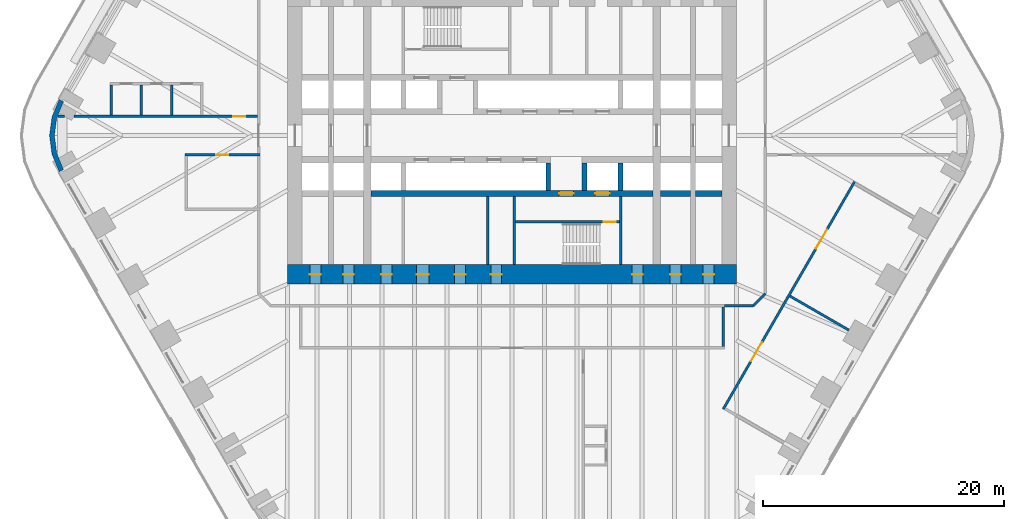
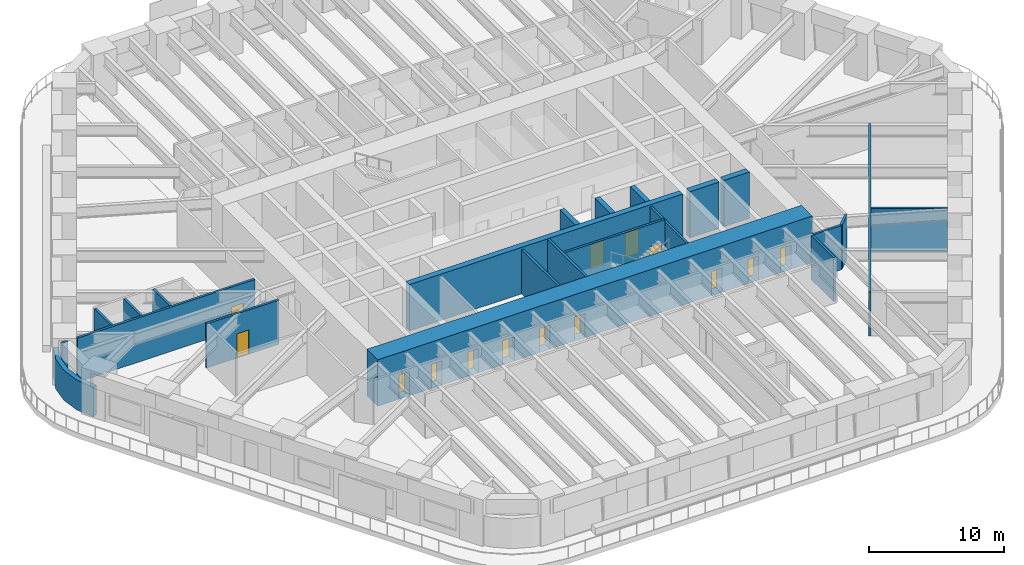
# One storey, part 17 of 23: 23 walls, 16 doors, 16 openings.
"""IFC4 building model written with IfcOpenShell, lengths in metres."""

from ifc_helpers import new_model, si_unit, direction, frame, frame_2d, origin, place, context, subcontext, project, spatial, polyline, rectangle, outline, extrude, material, layer, layer_set, type_object, element, fill, save


model = new_model("IFC4")

# Units and contexts
model_context = context("Model", 3, precision=1e-05, world=origin(), true_north=direction((0.0, 1.0)))
body_context = subcontext(model_context, "Body", "Model", "MODEL_VIEW")
ifc_project = project(units=[si_unit("LENGTHUNIT", "METRE"), si_unit("AREAUNIT", "SQUARE_METRE"), si_unit("VOLUMEUNIT", "CUBIC_METRE"), si_unit("PLANEANGLEUNIT", "RADIAN"), si_unit("MASSUNIT", "GRAM", prefix="KILO")], contexts=[model_context])

# Site, building, storey
site_placement = place(None, origin())
site = spatial("IfcSite", under=ifc_project, at=site_placement, CompositionType="ELEMENT")
building_placement = place(site_placement, origin())
building = spatial("IfcBuilding", under=site, at=building_placement, Name="Tarfa Lantern Tower", CompositionType="ELEMENT")
storey_placement = place(building_placement, frame((0.0, 0.0, 52.89990234375)))
storey = spatial("IfcBuildingStorey", under=building, at=storey_placement, Name="L11", CompositionType="ELEMENT", Elevation=52.89990234375)

# Walls
ifc_material_1 = material(Name="Limestone cladding on blockwork", Category="masonry")
ifc_layer_1 = layer(ifc_material_1, 0.39990234375)
ifc_layer_set_1 = layer_set([ifc_layer_1], Name="EW2 CURVED STONE CORNER 400")
wall_type_1 = type_object("IfcWallType", Name="EW2 CURVED STONE CORNER 400", PredefinedType="SOLIDWALL", material=ifc_layer_set_1)
wall_1_placement = place(storey_placement, origin())
element("IfcWall", 1, at=wall_1_placement, inside=storey, type_object=wall_type_1, Name="Stone corner NW-SW", PredefinedType="SOLIDWALL", context=body_context, shape_type="SweptSolid", body=[
    extrude(outline(polyline([(-37.52783203125, 3.0), (-38.127197265625, 1.552978515625), (-38.33154296875, 0.0), (-38.127197265625, -1.552978515625), (-37.52783203125, -3.0), (-37.181396484375, -2.800048828125), (-37.74072265625, -1.449462890625), (-37.931640625, 0.0), (-37.74072265625, 1.449462890625), (-37.181396484375, 2.800048828125), (-37.52783203125, 3.0)])), origin(), (0.0, 0.0, 1.0), 2.7001953125),
])
ifc_material_2 = material(Name="Concrete blockwork", Category="masonry")
ifc_layer_2 = layer(ifc_material_2, 0.199951171875)
ifc_layer_set_2 = layer_set([ifc_layer_2], Name="IW1 BLOCKWORK PARTITION 200 EI 120")
wall_type_2 = type_object("IfcWallType", Name="IW1 BLOCKWORK PARTITION 200 EI 120", PredefinedType="PARTITIONING", material=ifc_layer_set_2)
for number, where, z_axis, x_axis, name in (
    (2, (9.0, -5.050048828125, 0.0), (0.0, 0.0, 1.0), (0.0, -1.0, 0.0), "Core partition"),
    (3, (-2.0, -5.050048828125, 0.0), (0.0, 0.0, 1.0), (0.0, -1.0, 0.0), "Core partition"),
):
    element("IfcWall", number, at=place(storey_placement, frame(where, z_axis=z_axis, x_axis=x_axis)), inside=storey, type_object=wall_type_2, Name=name, PredefinedType="PARTITIONING", context=body_context, shape_type="SweptSolid", body=[
        extrude(rectangle(XDim=5.64990234375, YDim=0.199951171875, at=frame_2d((2.824951171875, 0.0))), origin(), (0.0, 0.0, 1.0), 4.0),
    ])
ifc_material_3 = material(Name="Gypsum board on steel studs", Category="steel")
ifc_layer_3 = layer(ifc_material_3, 0.2099609375)
ifc_layer_set_3 = layer_set([ifc_layer_3], Name="IW2 ACOUSTIC PARTITION 200")
wall_type_3 = type_object("IfcWallType", Name="IW2 ACOUSTIC PARTITION 200", PredefinedType="PARTITIONING", material=ifc_layer_set_3)
wall_2_placement = place(storey_placement, frame((17.5, -14.199951171875, 0.0), z_axis=(0.0, 0.0, 1.0), x_axis=(0.0, -1.0, 0.0)))
element("IfcWall", 4, at=wall_2_placement, inside=storey, type_object=wall_type_3, Name="Partition", PredefinedType="PARTITIONING", context=body_context, shape_type="SweptSolid", body=[
    extrude(rectangle(XDim=3.300048828125, YDim=0.199951171875, at=frame_2d((1.64990234375, 0.0))), origin(), (0.0, 0.0, 1.0), 4.0),
])

# Wall, openings, doors
wall_3_placement = place(storey_placement, frame((17.510986328125, -22.669921875, 0.0), z_axis=(0.0, 0.0, 1.0), x_axis=(0.500000289772, 0.866025236485, 0.0)))
wall_3 = element("IfcWall", 5, at=wall_3_placement, inside=storey, type_object=wall_type_3, Name="Partition", PredefinedType="PARTITIONING", context=body_context, shape_type="SweptSolid", body=[
    extrude(rectangle(XDim=21.75439453125, YDim=0.199951171875, at=frame_2d((10.877197265625, 0.0))), origin(), (0.0, 0.0, 1.0), 4.0),
])
opening_1_placement = place(wall_3_placement, frame((4.588623046875, 0.0, 0.0)))
opening_1 = element("IfcOpeningElement", 6, at=opening_1_placement, cuts=wall_3, Name="Opening D30", PredefinedType="OPENING", context=body_context, shape_type="SweptSolid", body=[
    extrude(rectangle(XDim=1.800048828125, YDim=2.39990234375, at=frame_2d((0.89990234375, 1.199951171875))), frame((0.0, 0.10986328125, 0.0), z_axis=(0.0, -1.0, 0.0), x_axis=(1.0, 0.0, 0.0)), (0.0, 0.0, 1.0), 0.219970703125),
])
opening_2_placement = place(wall_3_placement, frame((15.36572265625, 0.0, 0.0)))
opening_2 = element("IfcOpeningElement", 7, at=opening_2_placement, cuts=wall_3, Name="Opening D31", PredefinedType="OPENING", context=body_context, shape_type="SweptSolid", body=[
    extrude(rectangle(XDim=1.800048828125, YDim=2.39990234375, at=frame_2d((0.89990234375, 1.199951171875))), frame((0.0, 0.10986328125, 0.0), z_axis=(0.0, -1.0, 0.0), x_axis=(1.0, 0.0, 0.0)), (0.0, 0.0, 1.0), 0.219970703125),
])
ifc_material_4 = material(Name="Timber door", Category="wood")
door_type_1 = type_object("IfcDoorType", Name="DR2 ROOM DOOR 1800x2400", OperationType="DOUBLE_DOOR_SINGLE_SWING", PredefinedType="DOOR", material=ifc_material_4)
door_1_placement = place(opening_1_placement, frame((1.800048828125, 0.0, 0.0), z_axis=(0.0, 0.0, 1.0), x_axis=(-1.0, 0.0, 0.0)))
door_1 = element("IfcDoor", 8, at=door_1_placement, inside=storey, type_object=door_type_1, Name="Project studio door", OperationType="DOUBLE_DOOR_SINGLE_SWING", OverallHeight=2.39990234375, OverallWidth=1.800048828125, PredefinedType="DOOR", context=body_context, shape_type="SweptSolid", body=[
    extrude(rectangle(XDim=1.800048828125, YDim=2.39990234375, at=frame_2d((0.89990234375, 1.199951171875))), frame((0.0, 0.02490234375, 0.0), z_axis=(0.0, -1.0, 0.0), x_axis=(1.0, 0.0, 0.0)), (0.0, 0.0, 1.0), 0.050048828125),
])
fill(opening_1, door_1)
door_2_placement = place(opening_2_placement, frame((1.800048828125, 0.0, 0.0), z_axis=(0.0, 0.0, 1.0), x_axis=(-1.0, 0.0, 0.0)))
door_2 = element("IfcDoor", 9, at=door_2_placement, inside=storey, type_object=door_type_1, Name="Project studio door", OperationType="DOUBLE_DOOR_SINGLE_SWING", OverallHeight=2.39990234375, OverallWidth=1.800048828125, PredefinedType="DOOR", context=body_context, shape_type="SweptSolid", body=[
    extrude(rectangle(XDim=1.800048828125, YDim=2.39990234375, at=frame_2d((0.89990234375, 1.199951171875))), frame((0.0, 0.02490234375, 0.0), z_axis=(0.0, -1.0, 0.0), x_axis=(1.0, 0.0, 0.0)), (0.0, 0.0, 1.0), 0.050048828125),
])
fill(opening_2, door_2)

# Wall
wall_4_placement = place(storey_placement, frame((23.036376953125, -13.300048828125, 0.0), z_axis=(0.0, 0.0, 1.0), x_axis=(0.866019355129, -0.500010476433, 0.0)))
element("IfcWall", 10, at=wall_4_placement, inside=storey, type_object=wall_type_3, Name="Partition", PredefinedType="PARTITIONING", context=body_context, shape_type="SweptSolid", body=[
    extrude(rectangle(XDim=5.64990234375, YDim=0.199951171875, at=frame_2d((2.824951171875, 0.0))), origin(), (0.0, 0.0, 1.0), 4.0),
])

# Wall, opening, door
wall_5_placement = place(storey_placement, frame((-20.89990234375, -1.60009765625, 0.0), z_axis=(0.0, 0.0, 1.0), x_axis=(-1.0, 0.0, 0.0)))
wall_5 = element("IfcWall", 11, at=wall_5_placement, inside=storey, type_object=wall_type_3, Name="Partition", PredefinedType="PARTITIONING", context=body_context, shape_type="SweptSolid", body=[
    extrude(rectangle(XDim=6.2001953125, YDim=0.199951171875, at=frame_2d((3.10009765625, 0.0))), origin(), (0.0, 0.0, 1.0), 4.0),
])
opening_3_placement = place(wall_5_placement, frame((2.60009765625, 0.0, 0.0)))
opening_3 = element("IfcOpeningElement", 12, at=opening_3_placement, cuts=wall_5, Name="Opening D32", PredefinedType="OPENING", context=body_context, shape_type="SweptSolid", body=[
    extrude(rectangle(XDim=1.0, YDim=2.199951171875, at=frame_2d((0.5, 1.10009765625))), frame((0.0, 0.10986328125, 0.0), z_axis=(0.0, -1.0, 0.0), x_axis=(1.0, 0.0, 0.0)), (0.0, 0.0, 1.0), 0.219970703125),
])
door_type_2 = type_object("IfcDoorType", Name="DR1 ROOM DOOR 1000x2200", OperationType="SINGLE_SWING_LEFT", PredefinedType="DOOR", material=ifc_material_4)
door_3_placement = place(opening_3_placement, origin())
door_3 = element("IfcDoor", 13, at=door_3_placement, inside=storey, type_object=door_type_2, Name="Pantry door", OperationType="SINGLE_SWING_RIGHT", OverallHeight=2.199951171875, OverallWidth=1.0, PredefinedType="DOOR", context=body_context, shape_type="SweptSolid", body=[
    extrude(rectangle(XDim=1.0, YDim=2.199951171875, at=frame_2d((0.5, 1.10009765625))), frame((0.0, 0.02490234375, 0.0), z_axis=(0.0, -1.0, 0.0), x_axis=(1.0, 0.0, 0.0)), (0.0, 0.0, 1.0), 0.050048828125),
])
fill(opening_3, door_3)

# Walls
wall_6_placement = place(storey_placement, frame((21.0, -13.10009765625, 0.0), z_axis=(0.0, 0.0, 1.0), x_axis=(-0.707106781187, -0.707106781187, 0.0)))
element("IfcWall", 14, at=wall_6_placement, inside=storey, type_object=wall_type_3, Name="Partition", PredefinedType="PARTITIONING", context=body_context, shape_type="SweptSolid", body=[
    extrude(rectangle(XDim=1.414306640625, YDim=0.199951171875, at=frame_2d((0.70703125, 0.0))), origin(), (0.0, 0.0, 1.0), 4.0),
])
wall_7_placement = place(storey_placement, frame((20.0, -14.10009765625, 0.0), z_axis=(0.0, 0.0, 1.0), x_axis=(-1.0, 0.0, 0.0)))
element("IfcWall", 15, at=wall_7_placement, inside=storey, type_object=wall_type_3, Name="Partition", PredefinedType="PARTITIONING", context=body_context, shape_type="SweptSolid", body=[
    extrude(rectangle(XDim=2.39990234375, YDim=0.199951171875, at=frame_2d((1.199951171875, 0.0))), origin(), (0.0, 0.0, 1.0), 4.0),
])

# Wall, opening, door
wall_8_placement = place(storey_placement, frame((-21.10009765625, 1.60009765625, 0.0), z_axis=(0.0, 0.0, 1.0), x_axis=(-1.0, 0.0, 0.0)))
wall_8 = element("IfcWall", 16, at=wall_8_placement, inside=storey, type_object=wall_type_3, Name="Partition", PredefinedType="PARTITIONING", context=body_context, shape_type="SweptSolid", body=[
    extrude(rectangle(XDim=15.21533203125, YDim=0.199951171875, at=frame_2d((7.607666015625, 0.0))), origin(), (0.0, 0.0, 1.0), 4.0),
])
opening_4_placement = place(wall_8_placement, frame((1.021484375, 0.0, 0.0)))
opening_4 = element("IfcOpeningElement", 17, at=opening_4_placement, cuts=wall_8, Name="Opening D48", PredefinedType="OPENING", context=body_context, shape_type="SweptSolid", body=[
    extrude(rectangle(XDim=1.0, YDim=2.199951171875, at=frame_2d((0.5, 1.10009765625))), frame((0.0, 0.10986328125, 0.0), z_axis=(0.0, -1.0, 0.0), x_axis=(1.0, 0.0, 0.0)), (0.0, 0.0, 1.0), 0.219970703125),
])
door_4_placement = place(opening_4_placement, origin())
door_4 = element("IfcDoor", 18, at=door_4_placement, inside=storey, type_object=door_type_2, Name="Zone door", OperationType="SINGLE_SWING_RIGHT", OverallHeight=2.199951171875, OverallWidth=1.0, PredefinedType="DOOR", context=body_context, shape_type="SweptSolid", body=[
    extrude(rectangle(XDim=1.0, YDim=2.199951171875, at=frame_2d((0.5, 1.10009765625))), frame((0.0, 0.02490234375, 0.0), z_axis=(0.0, -1.0, 0.0), x_axis=(1.0, 0.0, 0.0)), (0.0, 0.0, 1.0), 0.050048828125),
])
fill(opening_4, door_4)

# Walls
wall_9_placement = place(storey_placement, frame((-37.102783203125, 1.60009765625, 0.0), z_axis=(0.0, 0.0, 1.0), x_axis=(-1.0, 0.0, 0.0)))
element("IfcWall", 19, at=wall_9_placement, inside=storey, type_object=wall_type_3, Name="Partition", PredefinedType="PARTITIONING", context=body_context, shape_type="SweptSolid", body=[
    extrude(rectangle(XDim=0.534423828125, YDim=0.199951171875, at=frame_2d((0.26708984375, 0.0))), origin(), (0.0, 0.0, 1.0), 4.0),
])
for number, where, z_axis, x_axis, name in (
    (20, (-28.218505859375, 1.699951171875, 0.0), (0.0, 0.0, 1.0), (0.0, 1.0, 0.0), "Partition"),
    (21, (-30.718505859375, 1.699951171875, 0.0), (0.0, 0.0, 1.0), (0.0, 1.0, 0.0), "Partition"),
    (22, (-33.218505859375, 1.699951171875, 0.0), (0.0, 0.0, 1.0), (0.0, 1.0, 0.0), "Partition"),
):
    element("IfcWall", number, at=place(storey_placement, frame(where, z_axis=z_axis, x_axis=x_axis)), inside=storey, type_object=wall_type_3, Name=name, PredefinedType="PARTITIONING", context=body_context, shape_type="SweptSolid", body=[
        extrude(rectangle(XDim=2.5, YDim=0.199951171875, at=frame_2d((1.25, 0.0))), origin(), (0.0, 0.0, 1.0), 4.0),
    ])
ifc_material_5 = material(Name="Concrete C80/95", Category="concrete")
ifc_layer_4 = layer(ifc_material_5, 0.199951171875)
ifc_layer_set_4 = layer_set([ifc_layer_4], Name="SW12 CORE WALL 200")
wall_type_4 = type_object("IfcWallType", Name="SW12 CORE WALL 200", PredefinedType="SHEAR", material=ifc_layer_set_4)
wall_10_placement = place(storey_placement, frame((0.199951171875, -5.050048828125, 0.0), z_axis=(0.0, 0.0, 1.0), x_axis=(0.0, -1.0, 0.0)))
element("IfcWall", 23, at=wall_10_placement, inside=storey, type_object=wall_type_4, Name="Core wall stair shaft S", PredefinedType="SHEAR", context=body_context, shape_type="SweptSolid", body=[
    extrude(rectangle(XDim=5.64990234375, YDim=0.199951171875, at=frame_2d((2.824951171875, 0.0))), origin(), (0.0, 0.0, 1.0), 4.2001953125),
])

# Wall, opening, door
wall_11_placement = place(storey_placement, frame((8.89990234375, -7.14990234375, 0.0), z_axis=(0.0, 0.0, 1.0), x_axis=(-1.0, 0.0, 0.0)))
wall_11 = element("IfcWall", 24, at=wall_11_placement, inside=storey, type_object=wall_type_4, Name="Core wall stair partition S", PredefinedType="SHEAR", context=body_context, shape_type="SweptSolid", body=[
    extrude(rectangle(XDim=8.599853515625, YDim=0.199951171875, at=frame_2d((4.2998046875, 0.0))), origin(), (0.0, 0.0, 1.0), 4.2001953125),
])
opening_5_placement = place(wall_11_placement, frame((0.300048828125, 0.0, 0.0)))
opening_5 = element("IfcOpeningElement", 25, at=opening_5_placement, cuts=wall_11, Name="Opening D24", PredefinedType="OPENING", context=body_context, shape_type="SweptSolid", body=[
    extrude(rectangle(XDim=1.0, YDim=2.199951171875, at=frame_2d((0.5, 1.10009765625))), frame((0.0, 0.10986328125, 0.0), z_axis=(0.0, -1.0, 0.0), x_axis=(1.0, 0.0, 0.0)), (0.0, 0.0, 1.0), 0.219970703125),
])
ifc_material_6 = material(Name="Steel fire door", Category="steel")
door_type_3 = type_object("IfcDoorType", Name="DF2 STAIR DOOR 1000x2200", OperationType="SINGLE_SWING_LEFT", PredefinedType="DOOR", material=ifc_material_6)
door_5_placement = place(opening_5_placement, origin())
door_5 = element("IfcDoor", 26, at=door_5_placement, inside=storey, type_object=door_type_3, Name="Stair door", OperationType="SINGLE_SWING_RIGHT", OverallHeight=2.199951171875, OverallWidth=1.0, PredefinedType="DOOR", context=body_context, shape_type="SweptSolid", body=[
    extrude(rectangle(XDim=1.0, YDim=2.199951171875, at=frame_2d((0.5, 1.10009765625))), frame((0.0, 0.02490234375, 0.0), z_axis=(0.0, -1.0, 0.0), x_axis=(1.0, 0.0, 0.0)), (0.0, 0.0, 1.0), 0.050048828125),
])
fill(opening_5, door_5)

# Walls
ifc_layer_5 = layer(ifc_material_5, 0.5)
ifc_layer_set_5 = layer_set([ifc_layer_5], Name="SW5 CORE WALL 500")
wall_type_5 = type_object("IfcWallType", Name="SW5 CORE WALL 500", PredefinedType="SHEAR", material=ifc_layer_set_5)
wall_12_placement = place(storey_placement, frame((17.39990234375, -4.800048828125, 0.0), z_axis=(0.0, 0.0, 1.0), x_axis=(-1.0, 0.0, 0.0)))
element("IfcWall", 27, at=wall_12_placement, inside=storey, type_object=wall_type_5, Name="Core wall rear S", PredefinedType="SHEAR", context=body_context, shape_type="SweptSolid", body=[
    extrude(rectangle(XDim=2.199951171875, YDim=0.5, at=frame_2d((1.10009765625, 0.0))), origin(), (0.0, 0.0, 1.0), 4.2001953125),
])
wall_13_placement = place(storey_placement, frame((14.800048828125, -4.800048828125, 0.0), z_axis=(0.0, 0.0, 1.0), x_axis=(-1.0, 0.0, 0.0)))
element("IfcWall", 28, at=wall_13_placement, inside=storey, type_object=wall_type_5, Name="Core wall rear S", PredefinedType="SHEAR", context=body_context, shape_type="SweptSolid", body=[
    extrude(rectangle(XDim=2.5, YDim=0.5, at=frame_2d((1.25, 0.0))), origin(), (0.0, 0.0, 1.0), 4.2001953125),
])

# Wall, openings, doors
wall_14_placement = place(storey_placement, frame((11.699951171875, -4.800048828125, 0.0), z_axis=(0.0, 0.0, 1.0), x_axis=(-1.0, 0.0, 0.0)))
wall_14 = element("IfcWall", 29, at=wall_14_placement, inside=storey, type_object=wall_type_5, Name="Core wall rear S", PredefinedType="SHEAR", context=body_context, shape_type="SweptSolid", body=[
    extrude(rectangle(XDim=23.39990234375, YDim=0.5, at=frame_2d((11.699951171875, 0.0))), origin(), (0.0, 0.0, 1.0), 4.2001953125),
])
opening_6_placement = place(wall_14_placement, frame((6.60009765625, 0.0, 0.0)))
opening_6 = element("IfcOpeningElement", 30, at=opening_6_placement, cuts=wall_14, Name="Opening D14", PredefinedType="OPENING", context=body_context, shape_type="SweptSolid", body=[
    extrude(rectangle(XDim=1.199951171875, YDim=2.199951171875, at=frame_2d((0.60009765625, 1.10009765625))), frame((0.0, 0.260009765625, 0.0), z_axis=(0.0, -1.0, 0.0), x_axis=(1.0, 0.0, 0.0)), (0.0, 0.0, 1.0), 0.52001953125),
])
opening_7_placement = place(wall_14_placement, frame((3.60009765625, 0.0, 0.0)))
opening_7 = element("IfcOpeningElement", 31, at=opening_7_placement, cuts=wall_14, Name="Opening LD02", PredefinedType="OPENING", context=body_context, shape_type="SweptSolid", body=[
    extrude(rectangle(XDim=1.199951171875, YDim=2.199951171875, at=frame_2d((0.60009765625, 1.10009765625))), frame((0.0, 0.260009765625, 0.0), z_axis=(0.0, -1.0, 0.0), x_axis=(1.0, 0.0, 0.0)), (0.0, 0.0, 1.0), 0.52001953125),
])
door_type_4 = type_object("IfcDoorType", Name="DF1 FIREFIGHTING LOBBY DOOR 1200x2200", OperationType="SINGLE_SWING_LEFT", PredefinedType="DOOR", material=ifc_material_6)
door_6_placement = place(opening_6_placement, origin())
door_6 = element("IfcDoor", 32, at=door_6_placement, inside=storey, type_object=door_type_4, Name="Firefighting lobby door", OperationType="SINGLE_SWING_LEFT", OverallHeight=2.199951171875, OverallWidth=1.199951171875, PredefinedType="DOOR", context=body_context, shape_type="SweptSolid", body=[
    extrude(rectangle(XDim=1.199951171875, YDim=2.199951171875, at=frame_2d((0.60009765625, 1.10009765625))), frame((0.0, 0.02490234375, 0.0), z_axis=(0.0, -1.0, 0.0), x_axis=(1.0, 0.0, 0.0)), (0.0, 0.0, 1.0), 0.050048828125),
])
fill(opening_6, door_6)
ifc_material_7 = material(Name="Stainless steel lift door", Category="steel")
door_type_5 = type_object("IfcDoorType", Name="LD1 LIFT LANDING DOOR 1200x2200", OperationType="SLIDING_TO_LEFT", PredefinedType="DOOR", material=ifc_material_7)
door_7_placement = place(opening_7_placement, origin())
door_7 = element("IfcDoor", 33, at=door_7_placement, inside=storey, type_object=door_type_5, Name="Landing door FL2", OperationType="SLIDING_TO_LEFT", OverallHeight=2.199951171875, OverallWidth=1.199951171875, PredefinedType="DOOR", context=body_context, shape_type="SweptSolid", body=[
    extrude(rectangle(XDim=1.199951171875, YDim=2.199951171875, at=frame_2d((0.60009765625, 1.10009765625))), frame((0.0, 0.02490234375, 0.0), z_axis=(0.0, -1.0, 0.0), x_axis=(1.0, 0.0, 0.0)), (0.0, 0.0, 1.0), 0.050048828125),
])
fill(opening_7, door_7)

# Walls
ifc_layer_6 = layer(ifc_material_5, 0.39990234375)
ifc_layer_set_6 = layer_set([ifc_layer_6], Name="SW6 CORE WALL 400")
wall_type_6 = type_object("IfcWallType", Name="SW6 CORE WALL 400", PredefinedType="SHEAR", material=ifc_layer_set_6)
for number, where, z_axis, x_axis, name in (
    (34, (9.0, -2.25, 0.0), (0.0, 0.0, 1.0), (0.0, -1.0, 0.0), "Core wall divider S"),
    (35, (6.0, -2.25, 0.0), (0.0, 0.0, 1.0), (0.0, -1.0, 0.0), "Core wall divider S"),
    (36, (3.0, -2.25, 0.0), (0.0, 0.0, 1.0), (0.0, -1.0, 0.0), "Core wall divider S"),
):
    element("IfcWall", number, at=place(storey_placement, frame(where, z_axis=z_axis, x_axis=x_axis)), inside=storey, type_object=wall_type_6, Name=name, PredefinedType="SHEAR", context=body_context, shape_type="SweptSolid", body=[
        extrude(rectangle(XDim=2.300048828125, YDim=0.39990234375, at=frame_2d((1.14990234375, 0.0))), origin(), (0.0, 0.0, 1.0), 4.2001953125),
    ])

# Wall, openings, doors
ifc_layer_7 = layer(ifc_material_5, 1.60009765625)
ifc_layer_set_7 = layer_set([ifc_layer_7], Name="SW7 CORE WALL 1600")
wall_type_7 = type_object("IfcWallType", Name="SW7 CORE WALL 1600", PredefinedType="SHEAR", material=ifc_layer_set_7)
wall_15_placement = place(storey_placement, frame((18.60009765625, -11.5, 0.0), z_axis=(0.0, 0.0, 1.0), x_axis=(-1.0, 0.0, 0.0)))
wall_15 = element("IfcWall", 37, at=wall_15_placement, inside=storey, type_object=wall_type_7, Name="Core wall S", PredefinedType="SHEAR", context=body_context, shape_type="SweptSolid", body=[
    extrude(rectangle(XDim=37.2001953125, YDim=1.60009765625, at=frame_2d((18.60009765625, 0.0))), origin(), (0.0, 0.0, 1.0), 4.2001953125),
])
opening_8_placement = place(wall_15_placement, frame((19.449951171875, 0.0, 0.0)))
opening_8 = element("IfcOpeningElement", 38, at=opening_8_placement, cuts=wall_15, Name="Opening D18", PredefinedType="OPENING", context=body_context, shape_type="SweptSolid", body=[
    extrude(rectangle(XDim=0.89990234375, YDim=2.199951171875, at=frame_2d((0.449951171875, 1.10009765625))), frame((0.0, 0.81005859375, 0.0), z_axis=(0.0, -1.0, 0.0), x_axis=(1.0, 0.0, 0.0)), (0.0, 0.0, 1.0), 1.6201171875),
])
opening_9_placement = place(wall_15_placement, frame((22.449951171875, 0.0, 0.0)))
opening_9 = element("IfcOpeningElement", 39, at=opening_9_placement, cuts=wall_15, Name="Opening D20", PredefinedType="OPENING", context=body_context, shape_type="SweptSolid", body=[
    extrude(rectangle(XDim=0.89990234375, YDim=2.199951171875, at=frame_2d((0.449951171875, 1.10009765625))), frame((0.0, 0.81005859375, 0.0), z_axis=(0.0, -1.0, 0.0), x_axis=(1.0, 0.0, 0.0)), (0.0, 0.0, 1.0), 1.6201171875),
])
opening_10_placement = place(wall_15_placement, frame((25.5, 0.0, 0.0)))
opening_10 = element("IfcOpeningElement", 40, at=opening_10_placement, cuts=wall_15, Name="Opening D22", PredefinedType="OPENING", context=body_context, shape_type="SweptSolid", body=[
    extrude(rectangle(XDim=1.0, YDim=2.199951171875, at=frame_2d((0.5, 1.10009765625))), frame((0.0, 0.81005859375, 0.0), z_axis=(0.0, -1.0, 0.0), x_axis=(1.0, 0.0, 0.0)), (0.0, 0.0, 1.0), 1.6201171875),
])
opening_11_placement = place(wall_15_placement, frame((1.85009765625, 0.0, 0.0)))
opening_11 = element("IfcOpeningElement", 41, at=opening_11_placement, cuts=wall_15, Name="Opening D12", PredefinedType="OPENING", context=body_context, shape_type="SweptSolid", body=[
    extrude(rectangle(XDim=0.89990234375, YDim=2.199951171875, at=frame_2d((0.449951171875, 1.10009765625))), frame((0.0, 0.81005859375, 0.0), z_axis=(0.0, -1.0, 0.0), x_axis=(1.0, 0.0, 0.0)), (0.0, 0.0, 1.0), 1.6201171875),
])
opening_12_placement = place(wall_15_placement, frame((4.60009765625, 0.0, 0.0)))
opening_12 = element("IfcOpeningElement", 42, at=opening_12_placement, cuts=wall_15, Name="Opening D08", PredefinedType="OPENING", context=body_context, shape_type="SweptSolid", body=[
    extrude(rectangle(XDim=0.89990234375, YDim=2.199951171875, at=frame_2d((0.449951171875, 1.10009765625))), frame((0.0, 0.81005859375, 0.0), z_axis=(0.0, -1.0, 0.0), x_axis=(1.0, 0.0, 0.0)), (0.0, 0.0, 1.0), 1.6201171875),
])
opening_13_placement = place(wall_15_placement, frame((7.75, 0.0, 0.0)))
opening_13 = element("IfcOpeningElement", 43, at=opening_13_placement, cuts=wall_15, Name="Opening D10", PredefinedType="OPENING", context=body_context, shape_type="SweptSolid", body=[
    extrude(rectangle(XDim=0.89990234375, YDim=2.199951171875, at=frame_2d((0.449951171875, 1.10009765625))), frame((0.0, 0.81005859375, 0.0), z_axis=(0.0, -1.0, 0.0), x_axis=(1.0, 0.0, 0.0)), (0.0, 0.0, 1.0), 1.6201171875),
])
opening_14_placement = place(wall_15_placement, frame((28.550048828125, 0.0, 0.0)))
opening_14 = element("IfcOpeningElement", 44, at=opening_14_placement, cuts=wall_15, Name="Opening D06", PredefinedType="OPENING", context=body_context, shape_type="SweptSolid", body=[
    extrude(rectangle(XDim=0.89990234375, YDim=2.199951171875, at=frame_2d((0.449951171875, 1.10009765625))), frame((0.0, 0.81005859375, 0.0), z_axis=(0.0, -1.0, 0.0), x_axis=(1.0, 0.0, 0.0)), (0.0, 0.0, 1.0), 1.6201171875),
])
opening_15_placement = place(wall_15_placement, frame((31.699951171875, 0.0, 0.0)))
opening_15 = element("IfcOpeningElement", 45, at=opening_15_placement, cuts=wall_15, Name="Opening D02", PredefinedType="OPENING", context=body_context, shape_type="SweptSolid", body=[
    extrude(rectangle(XDim=0.89990234375, YDim=2.199951171875, at=frame_2d((0.449951171875, 1.10009765625))), frame((0.0, 0.81005859375, 0.0), z_axis=(0.0, -1.0, 0.0), x_axis=(1.0, 0.0, 0.0)), (0.0, 0.0, 1.0), 1.6201171875),
])
opening_16_placement = place(wall_15_placement, frame((34.449951171875, 0.0, 0.0)))
opening_16 = element("IfcOpeningElement", 46, at=opening_16_placement, cuts=wall_15, Name="Opening D04", PredefinedType="OPENING", context=body_context, shape_type="SweptSolid", body=[
    extrude(rectangle(XDim=0.89990234375, YDim=2.199951171875, at=frame_2d((0.449951171875, 1.10009765625))), frame((0.0, 0.81005859375, 0.0), z_axis=(0.0, -1.0, 0.0), x_axis=(1.0, 0.0, 0.0)), (0.0, 0.0, 1.0), 1.6201171875),
])
door_type_6 = type_object("IfcDoorType", Name="DF3 CORE ROOM DOOR 900x2200", OperationType="SINGLE_SWING_LEFT", PredefinedType="DOOR", material=ifc_material_6)
door_8_placement = place(opening_8_placement, frame((0.89990234375, 0.0, 0.0), z_axis=(0.0, 0.0, 1.0), x_axis=(-1.0, 0.0, 0.0)))
door_8 = element("IfcDoor", 47, at=door_8_placement, inside=storey, type_object=door_type_6, Name="Core door", OperationType="SINGLE_SWING_RIGHT", OverallHeight=2.199951171875, OverallWidth=0.89990234375, PredefinedType="DOOR", context=body_context, shape_type="SweptSolid", body=[
    extrude(rectangle(XDim=0.89990234375, YDim=2.199951171875, at=frame_2d((0.449951171875, 1.10009765625))), frame((0.0, 0.02490234375, 0.0), z_axis=(0.0, -1.0, 0.0), x_axis=(1.0, 0.0, 0.0)), (0.0, 0.0, 1.0), 0.050048828125),
])
fill(opening_8, door_8)
door_9_placement = place(opening_9_placement, frame((0.89990234375, 0.0, 0.0), z_axis=(0.0, 0.0, 1.0), x_axis=(-1.0, 0.0, 0.0)))
door_9 = element("IfcDoor", 48, at=door_9_placement, inside=storey, type_object=door_type_6, Name="Core door", OperationType="SINGLE_SWING_LEFT", OverallHeight=2.199951171875, OverallWidth=0.89990234375, PredefinedType="DOOR", context=body_context, shape_type="SweptSolid", body=[
    extrude(rectangle(XDim=0.89990234375, YDim=2.199951171875, at=frame_2d((0.449951171875, 1.10009765625))), frame((0.0, 0.02490234375, 0.0), z_axis=(0.0, -1.0, 0.0), x_axis=(1.0, 0.0, 0.0)), (0.0, 0.0, 1.0), 0.050048828125),
])
fill(opening_9, door_9)
door_type_7 = type_object("IfcDoorType", Name="DF4 CORE ROOM DOOR 1000x2200", OperationType="SINGLE_SWING_LEFT", PredefinedType="DOOR", material=ifc_material_6)
door_10_placement = place(opening_10_placement, frame((1.0, 0.0, 0.0), z_axis=(0.0, 0.0, 1.0), x_axis=(-1.0, 0.0, 0.0)))
door_10 = element("IfcDoor", 49, at=door_10_placement, inside=storey, type_object=door_type_7, Name="Core door", OperationType="SINGLE_SWING_RIGHT", OverallHeight=2.199951171875, OverallWidth=1.0, PredefinedType="DOOR", context=body_context, shape_type="SweptSolid", body=[
    extrude(rectangle(XDim=1.0, YDim=2.199951171875, at=frame_2d((0.5, 1.10009765625))), frame((0.0, 0.02490234375, 0.0), z_axis=(0.0, -1.0, 0.0), x_axis=(1.0, 0.0, 0.0)), (0.0, 0.0, 1.0), 0.050048828125),
])
fill(opening_10, door_10)
door_type_8 = type_object("IfcDoorType", Name="DF5 RISER DOOR 900x2200", OperationType="SINGLE_SWING_LEFT", PredefinedType="DOOR", material=ifc_material_6)
door_11_placement = place(opening_11_placement, frame((0.89990234375, 0.0, 0.0), z_axis=(0.0, 0.0, 1.0), x_axis=(-1.0, 0.0, 0.0)))
door_11 = element("IfcDoor", 50, at=door_11_placement, inside=storey, type_object=door_type_8, Name="Riser door", OperationType="SINGLE_SWING_LEFT", OverallHeight=2.199951171875, OverallWidth=0.89990234375, PredefinedType="DOOR", context=body_context, shape_type="SweptSolid", body=[
    extrude(rectangle(XDim=0.89990234375, YDim=2.199951171875, at=frame_2d((0.449951171875, 1.10009765625))), frame((0.0, 0.02490234375, 0.0), z_axis=(0.0, -1.0, 0.0), x_axis=(1.0, 0.0, 0.0)), (0.0, 0.0, 1.0), 0.050048828125),
])
fill(opening_11, door_11)
door_12_placement = place(opening_12_placement, frame((0.89990234375, 0.0, 0.0), z_axis=(0.0, 0.0, 1.0), x_axis=(-1.0, 0.0, 0.0)))
door_12 = element("IfcDoor", 51, at=door_12_placement, inside=storey, type_object=door_type_8, Name="Riser door", OperationType="SINGLE_SWING_LEFT", OverallHeight=2.199951171875, OverallWidth=0.89990234375, PredefinedType="DOOR", context=body_context, shape_type="SweptSolid", body=[
    extrude(rectangle(XDim=0.89990234375, YDim=2.199951171875, at=frame_2d((0.449951171875, 1.10009765625))), frame((0.0, 0.02490234375, 0.0), z_axis=(0.0, -1.0, 0.0), x_axis=(1.0, 0.0, 0.0)), (0.0, 0.0, 1.0), 0.050048828125),
])
fill(opening_12, door_12)
door_13_placement = place(opening_13_placement, frame((0.89990234375, 0.0, 0.0), z_axis=(0.0, 0.0, 1.0), x_axis=(-1.0, 0.0, 0.0)))
door_13 = element("IfcDoor", 52, at=door_13_placement, inside=storey, type_object=door_type_8, Name="Riser door", OperationType="SINGLE_SWING_LEFT", OverallHeight=2.199951171875, OverallWidth=0.89990234375, PredefinedType="DOOR", context=body_context, shape_type="SweptSolid", body=[
    extrude(rectangle(XDim=0.89990234375, YDim=2.199951171875, at=frame_2d((0.449951171875, 1.10009765625))), frame((0.0, 0.02490234375, 0.0), z_axis=(0.0, -1.0, 0.0), x_axis=(1.0, 0.0, 0.0)), (0.0, 0.0, 1.0), 0.050048828125),
])
fill(opening_13, door_13)
door_14_placement = place(opening_14_placement, frame((0.89990234375, 0.0, 0.0), z_axis=(0.0, 0.0, 1.0), x_axis=(-1.0, 0.0, 0.0)))
door_14 = element("IfcDoor", 53, at=door_14_placement, inside=storey, type_object=door_type_8, Name="Riser door", OperationType="SINGLE_SWING_RIGHT", OverallHeight=2.199951171875, OverallWidth=0.89990234375, PredefinedType="DOOR", context=body_context, shape_type="SweptSolid", body=[
    extrude(rectangle(XDim=0.89990234375, YDim=2.199951171875, at=frame_2d((0.449951171875, 1.10009765625))), frame((0.0, 0.02490234375, 0.0), z_axis=(0.0, -1.0, 0.0), x_axis=(1.0, 0.0, 0.0)), (0.0, 0.0, 1.0), 0.050048828125),
])
fill(opening_14, door_14)
door_15_placement = place(opening_15_placement, frame((0.89990234375, 0.0, 0.0), z_axis=(0.0, 0.0, 1.0), x_axis=(-1.0, 0.0, 0.0)))
door_15 = element("IfcDoor", 54, at=door_15_placement, inside=storey, type_object=door_type_8, Name="Riser door", OperationType="SINGLE_SWING_RIGHT", OverallHeight=2.199951171875, OverallWidth=0.89990234375, PredefinedType="DOOR", context=body_context, shape_type="SweptSolid", body=[
    extrude(rectangle(XDim=0.89990234375, YDim=2.199951171875, at=frame_2d((0.449951171875, 1.10009765625))), frame((0.0, 0.02490234375, 0.0), z_axis=(0.0, -1.0, 0.0), x_axis=(1.0, 0.0, 0.0)), (0.0, 0.0, 1.0), 0.050048828125),
])
fill(opening_15, door_15)
door_16_placement = place(opening_16_placement, frame((0.89990234375, 0.0, 0.0), z_axis=(0.0, 0.0, 1.0), x_axis=(-1.0, 0.0, 0.0)))
door_16 = element("IfcDoor", 55, at=door_16_placement, inside=storey, type_object=door_type_8, Name="Riser door", OperationType="SINGLE_SWING_RIGHT", OverallHeight=2.199951171875, OverallWidth=0.89990234375, PredefinedType="DOOR", context=body_context, shape_type="SweptSolid", body=[
    extrude(rectangle(XDim=0.89990234375, YDim=2.199951171875, at=frame_2d((0.449951171875, 1.10009765625))), frame((0.0, 0.02490234375, 0.0), z_axis=(0.0, -1.0, 0.0), x_axis=(1.0, 0.0, 0.0)), (0.0, 0.0, 1.0), 0.050048828125),
])
fill(opening_16, door_16)

save(model, "model.ifc")
